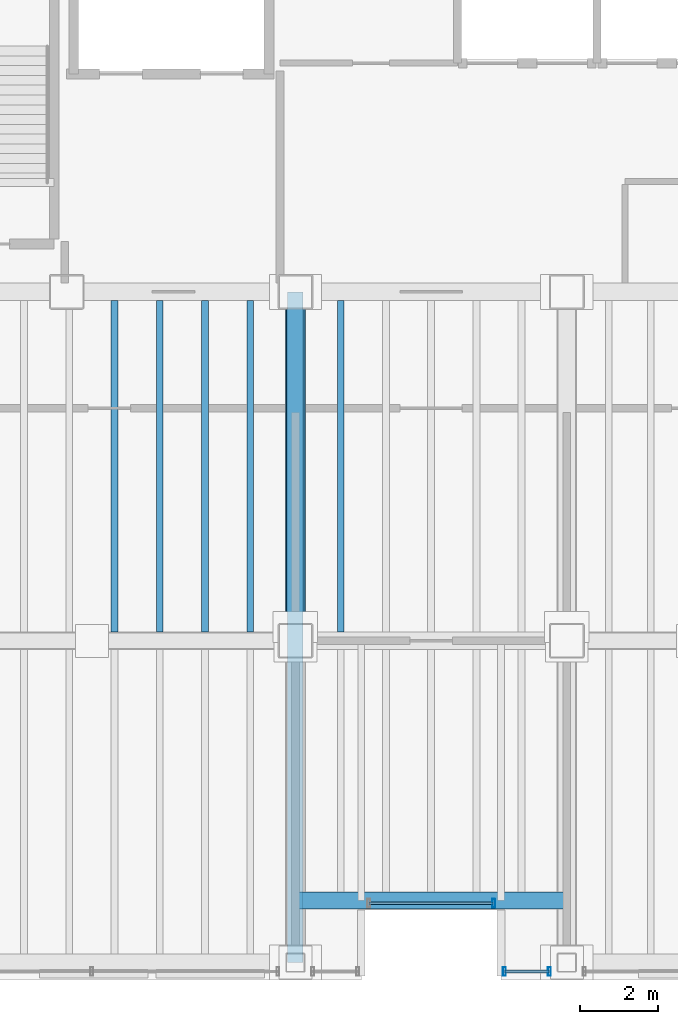
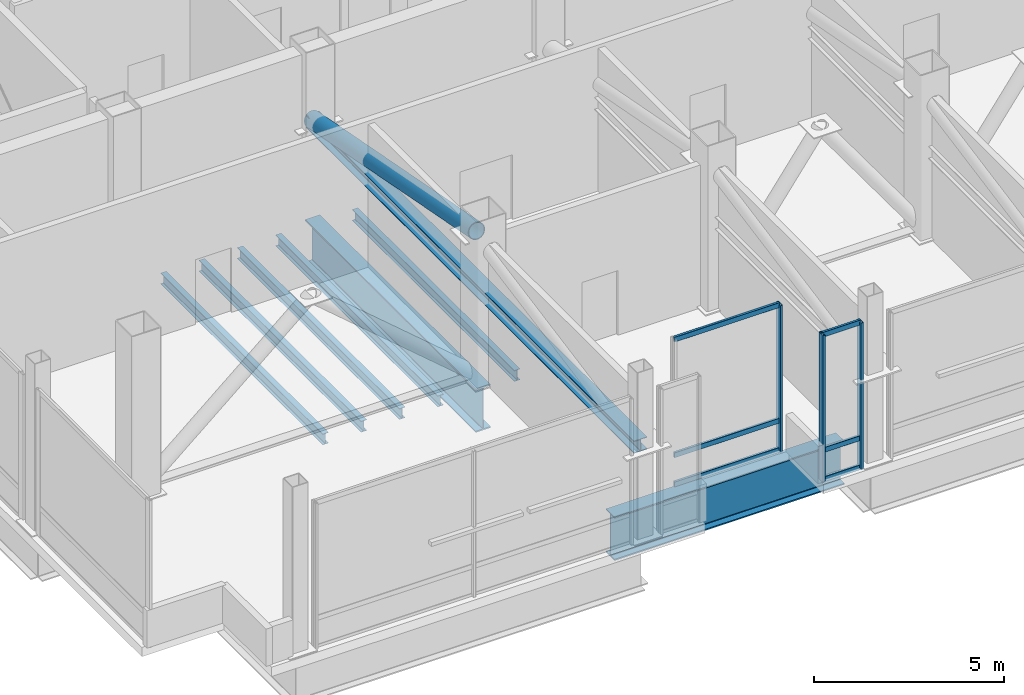
# One storey, part 4 of 18: 11 members, 7 beams, 2 elements without a shape of their own.
"""IFC4 building model written with IfcOpenShell, lengths in metres."""

from ifc_helpers import new_model, si_unit, direction, frame, origin, origin_2d, place, context, subcontext, project, spatial, hollow_rectangle, hollow_circle, i_section, extrude, material, material_profile, profile_set, type_object, element, aggregate, save


model = new_model("IFC4")

# Units and contexts
model_context = context("Model", 3, precision=1e-05, world=origin(), true_north=direction((0.0, 1.0)))
body_context = subcontext(model_context, "Body", "Model", "MODEL_VIEW")
ifc_project = project(units=[si_unit("LENGTHUNIT", "METRE"), si_unit("AREAUNIT", "SQUARE_METRE"), si_unit("VOLUMEUNIT", "CUBIC_METRE"), si_unit("PLANEANGLEUNIT", "RADIAN"), si_unit("MASSUNIT", "GRAM", prefix="KILO")], contexts=[model_context])

# Site, building, storey
site_placement = place(None, origin())
site = spatial("IfcSite", under=ifc_project, at=site_placement, CompositionType="ELEMENT")
building_placement = place(site_placement, origin())
building = spatial("IfcBuilding", under=site, at=building_placement, Name="Noeulbin Bourse Tower", CompositionType="ELEMENT")
storey_placement = place(building_placement, frame((0.0, 0.0, 200.699951171875)))
storey = spatial("IfcBuildingStorey", under=building, at=storey_placement, Name="L50", CompositionType="ELEMENT", Elevation=200.699951171875)

# Beams
ifc_material_1 = material(Name="Steel S355", Category="steel")
ifc_material_profile_1 = material_profile(ifc_material_1, i_section(OverallWidth=0.175048828125, OverallDepth=0.35009765625, WebThickness=0.007080078125, FlangeThickness=0.010986328125, FilletRadius=0.013916015625, at=origin_2d()), Name="H-350x175x7x11", Category="LoadBearing")
ifc_profile_set_1 = profile_set([ifc_material_profile_1], Name="Steel S355")
beam_type_1 = type_object("IfcBeamType", Name="BM-JST-350", PredefinedType="JOIST", material=ifc_profile_set_1)
for number, where, z_axis, x_axis, name in (
    (1, (19.333251953125, 20.22509765625, -0.474853515625), (0.0, 1.0, 0.0), (-1.0, 0.0, 0.0), "Tower Composite Joist L50-10"),
    (2, (20.5, 20.22509765625, -0.474853515625), (0.0, 1.0, 0.0), (-1.0, 0.0, 0.0), "Tower Composite Joist L50-12"),
    (3, (21.666748046875, 20.22509765625, -0.474853515625), (0.0, 1.0, 0.0), (-1.0, 0.0, 0.0), "Tower Composite Joist L50-14"),
    (4, (22.833251953125, 20.22509765625, -0.474853515625), (0.0, 1.0, 0.0), (-1.0, 0.0, 0.0), "Tower Composite Joist L50-16"),
    (5, (25.166748046875, 20.22509765625, -0.474853515625), (0.0, 1.0, 0.0), (-1.0, 0.0, 0.0), "Tower Composite Joist L50-18"),
):
    element("IfcBeam", number, at=place(storey_placement, frame(where, z_axis=z_axis, x_axis=x_axis)), inside=storey, type_object=beam_type_1, Name=name, PredefinedType="JOIST", context=body_context, shape_type="SweptSolid", body=[
        extrude(i_section(OverallWidth=0.175048828125, OverallDepth=0.35009765625, WebThickness=0.007080078125, FlangeThickness=0.010986328125, FilletRadius=0.013916015625, at=origin_2d()), origin(), (0.0, 0.0, 1.0), 8.5498046875),
    ])
ifc_material_2 = material(Name="Steel S460", Category="steel")
ifc_material_profile_2 = material_profile(ifc_material_2, i_section(OverallWidth=0.449951171875, OverallDepth=1.39990234375, WebThickness=0.02392578125, FlangeThickness=0.0400390625, FilletRadius=0.02392578125, at=origin_2d()), Name="PG-1400x450x24x40", Category="LoadBearing")
ifc_profile_set_2 = profile_set([ifc_material_profile_2], Name="Steel S460")
beam_type_2 = type_object("IfcBeamType", Name="BM-TRF-1400", PredefinedType="USERDEFINED", material=ifc_profile_set_2)
beam_1_placement = place(storey_placement, frame((24.0, 20.0, -1.0), z_axis=(0.0, 1.0, 0.0), x_axis=(-1.0, 0.0, 0.0)))
element("IfcBeam", 6, at=beam_1_placement, inside=storey, type_object=beam_type_2, Name="Tower Primary Girder NS L50-2.2", ObjectType="GIRDER", PredefinedType="USERDEFINED", context=body_context, shape_type="SweptSolid", body=[
    extrude(i_section(OverallWidth=0.449951171875, OverallDepth=1.39990234375, WebThickness=0.02392578125, FlangeThickness=0.0400390625, FilletRadius=0.02392578125, at=origin_2d()), origin(), (0.0, 0.0, 1.0), 9.0),
])
beam_2_placement = place(storey_placement, frame((24.0, 13.300048828125, -1.0), z_axis=(1.0, 0.0, 0.0), x_axis=(0.0, 1.0, 0.0)))
element("IfcBeam", 7, at=beam_2_placement, inside=storey, type_object=beam_type_2, Name="South Recess Spandrel L50-2B", ObjectType="GIRDER", PredefinedType="USERDEFINED", context=body_context, shape_type="SweptSolid", body=[
    extrude(i_section(OverallWidth=0.449951171875, OverallDepth=1.39990234375, WebThickness=0.02392578125, FlangeThickness=0.0400390625, FilletRadius=0.02392578125, at=origin_2d()), origin(), (0.0, 0.0, 1.0), 7.0),
])

# Curtain wall, member
ifc_material_3 = material(Name="Translucent Ceramic-Fritted Glass", Category="glass")
curtain_wall_type = type_object("IfcCurtainWallType", Name="CW-SYS-5", PredefinedType="NOTDEFINED", material=ifc_material_3)
curtain_wall_1_placement = place(storey_placement, origin())
curtain_wall_1 = element("IfcCurtainWall", 8, at=curtain_wall_1_placement, inside=storey, type_object=curtain_wall_type, Name="Unitised Curtain Wall CW-L50-SREC", PredefinedType="NOTDEFINED")
ifc_material_4 = material(Name="Anodised Aluminium 6063-T6", Category="aluminium")
ifc_material_profile_3 = material_profile(ifc_material_4, hollow_rectangle(XDim=0.074951171875, YDim=0.219970703125, WallThickness=0.0048828125, InnerFilletRadius=0.00244140625, OuterFilletRadius=0.0048828125, at=origin_2d()), Name="ALU-MULL-75x220x5", Category="LoadBearing")
ifc_profile_set_3 = profile_set([ifc_material_profile_3], Name="Anodised Aluminium 6063-T6")
member_type_1 = type_object("IfcMemberType", Name="CW-SYS-5-MUL", PredefinedType="MULLION", material=ifc_profile_set_3)
member_1_placement = place(storey_placement, frame((29.110107421875, 13.22998046875, -0.02001953125), z_axis=(0.0, 0.0, 1.0), x_axis=(1.0, 0.0, 0.0)))
member_1 = element("IfcMember", 9, at=member_1_placement, type_object=member_type_1, Name="Curtain Wall Mullion CW-L50-SREC-M01", PredefinedType="MULLION", context=body_context, shape_type="SweptSolid", body=[
    extrude(hollow_rectangle(XDim=0.074951171875, YDim=0.219970703125, WallThickness=0.0048828125, InnerFilletRadius=0.00244140625, OuterFilletRadius=0.0048828125, at=origin_2d()), origin(), (0.0, 0.0, 1.0), 4.719970703125),
])

# Curtain wall, members
curtain_wall_2_placement = place(storey_placement, origin())
curtain_wall_2 = element("IfcCurtainWall", 10, at=curtain_wall_2_placement, inside=storey, type_object=curtain_wall_type, Name="Unitised Curtain Wall CW-L50-S2-S1", PredefinedType="NOTDEFINED")
member_2_placement = place(storey_placement, frame((29.389892578125, 11.469970703125, -0.02001953125), z_axis=(0.0, 0.0, 1.0), x_axis=(1.0, 0.0, 0.0)))
member_2 = element("IfcMember", 11, at=member_2_placement, type_object=member_type_1, Name="Curtain Wall Mullion CW-L50-S2-S1-M00", PredefinedType="MULLION", context=body_context, shape_type="SweptSolid", body=[
    extrude(hollow_rectangle(XDim=0.074951171875, YDim=0.219970703125, WallThickness=0.0048828125, InnerFilletRadius=0.00244140625, OuterFilletRadius=0.0048828125, at=origin_2d()), origin(), (0.0, 0.0, 1.0), 4.719970703125),
])
member_3_placement = place(storey_placement, frame((30.550048828125, 11.469970703125, -0.02001953125), z_axis=(0.0, 0.0, 1.0), x_axis=(1.0, 0.0, 0.0)))
member_3 = element("IfcMember", 12, at=member_3_placement, type_object=member_type_1, Name="Curtain Wall Mullion CW-L50-S2-S1-M01", PredefinedType="MULLION", context=body_context, shape_type="SweptSolid", body=[
    extrude(hollow_rectangle(XDim=0.074951171875, YDim=0.219970703125, WallThickness=0.0048828125, InnerFilletRadius=0.00244140625, OuterFilletRadius=0.0048828125, at=origin_2d()), origin(), (0.0, 0.0, 1.0), 4.719970703125),
])

# Member
ifc_material_profile_4 = material_profile(ifc_material_4, hollow_rectangle(XDim=0.074951171875, YDim=0.159912109375, WallThickness=0.0048828125, InnerFilletRadius=0.00244140625, OuterFilletRadius=0.0048828125, at=origin_2d()), Name="ALU-TRAN-75x160x5", Category="LoadBearing")
ifc_profile_set_4 = profile_set([ifc_material_profile_4], Name="Anodised Aluminium 6063-T6")
member_type_2 = type_object("IfcMemberType", Name="CW-SYS-5-TRN", PredefinedType="USERDEFINED", material=ifc_profile_set_4)
member_4_placement = place(storey_placement, frame((25.89990234375, 13.22998046875, 0.010009765625), z_axis=(1.0, 0.0, 0.0), x_axis=(0.0, 1.0, 0.0)))
member_4 = element("IfcMember", 13, at=member_4_placement, type_object=member_type_2, Name="Curtain Wall Transom CW-L50-SREC-T00", ObjectType="TRANSOM", PredefinedType="USERDEFINED", context=body_context, shape_type="SweptSolid", body=[
    extrude(hollow_rectangle(XDim=0.074951171875, YDim=0.159912109375, WallThickness=0.0048828125, InnerFilletRadius=0.00244140625, OuterFilletRadius=0.0048828125, at=origin_2d()), origin(), (0.0, 0.0, 1.0), 3.2001953125),
])

member_5_placement = place(storey_placement, frame((25.89990234375, 13.22998046875, 0.949951171875), z_axis=(1.0, 0.0, 0.0), x_axis=(0.0, 1.0, 0.0)))
member_5 = element("IfcMember", 14, at=member_5_placement, type_object=member_type_2, Name="Curtain Wall Transom CW-L50-SREC-T01", ObjectType="TRANSOM", PredefinedType="USERDEFINED", context=body_context, shape_type="SweptSolid", body=[
    extrude(hollow_rectangle(XDim=0.074951171875, YDim=0.159912109375, WallThickness=0.0048828125, InnerFilletRadius=0.00244140625, OuterFilletRadius=0.0048828125, at=origin_2d()), origin(), (0.0, 0.0, 1.0), 3.2001953125),
])

member_6_placement = place(storey_placement, frame((25.89990234375, 13.22998046875, 4.670166015625), z_axis=(1.0, 0.0, 0.0), x_axis=(0.0, 1.0, 0.0)))
member_6 = element("IfcMember", 15, at=member_6_placement, type_object=member_type_2, Name="Curtain Wall Transom CW-L50-SREC-T02", ObjectType="TRANSOM", PredefinedType="USERDEFINED", context=body_context, shape_type="SweptSolid", body=[
    extrude(hollow_rectangle(XDim=0.074951171875, YDim=0.159912109375, WallThickness=0.0048828125, InnerFilletRadius=0.00244140625, OuterFilletRadius=0.0048828125, at=origin_2d()), origin(), (0.0, 0.0, 1.0), 3.2001953125),
])

aggregate(curtain_wall_1, [member_1, member_4, member_5, member_6])

member_7_placement = place(storey_placement, frame((29.39990234375, 11.469970703125, 0.010009765625), z_axis=(1.0, 0.0, 0.0), x_axis=(0.0, 1.0, 0.0)))
member_7 = element("IfcMember", 16, at=member_7_placement, type_object=member_type_2, Name="Curtain Wall Transom CW-L50-S2-S1-T00", ObjectType="TRANSOM", PredefinedType="USERDEFINED", context=body_context, shape_type="SweptSolid", body=[
    extrude(hollow_rectangle(XDim=0.074951171875, YDim=0.159912109375, WallThickness=0.0048828125, InnerFilletRadius=0.00244140625, OuterFilletRadius=0.0048828125, at=origin_2d()), origin(), (0.0, 0.0, 1.0), 1.14013671875),
])

member_8_placement = place(storey_placement, frame((29.39990234375, 11.469970703125, 0.949951171875), z_axis=(1.0, 0.0, 0.0), x_axis=(0.0, 1.0, 0.0)))
member_8 = element("IfcMember", 17, at=member_8_placement, type_object=member_type_2, Name="Curtain Wall Transom CW-L50-S2-S1-T01", ObjectType="TRANSOM", PredefinedType="USERDEFINED", context=body_context, shape_type="SweptSolid", body=[
    extrude(hollow_rectangle(XDim=0.074951171875, YDim=0.159912109375, WallThickness=0.0048828125, InnerFilletRadius=0.00244140625, OuterFilletRadius=0.0048828125, at=origin_2d()), origin(), (0.0, 0.0, 1.0), 1.14013671875),
])

member_9_placement = place(storey_placement, frame((29.39990234375, 11.469970703125, 4.670166015625), z_axis=(1.0, 0.0, 0.0), x_axis=(0.0, 1.0, 0.0)))
member_9 = element("IfcMember", 18, at=member_9_placement, type_object=member_type_2, Name="Curtain Wall Transom CW-L50-S2-S1-T02", ObjectType="TRANSOM", PredefinedType="USERDEFINED", context=body_context, shape_type="SweptSolid", body=[
    extrude(hollow_rectangle(XDim=0.074951171875, YDim=0.159912109375, WallThickness=0.0048828125, InnerFilletRadius=0.00244140625, OuterFilletRadius=0.0048828125, at=origin_2d()), origin(), (0.0, 0.0, 1.0), 1.14013671875),
])

aggregate(curtain_wall_2, [member_2, member_3, member_7, member_8, member_9])

# Members
ifc_material_profile_5 = material_profile(ifc_material_2, i_section(OverallWidth=0.39990234375, OverallDepth=0.39990234375, WebThickness=0.012939453125, FlangeThickness=0.02099609375, FilletRadius=0.02197265625, at=origin_2d()), Name="H-400x400x13x21", Category="LoadBearing")
ifc_profile_set_5 = profile_set([ifc_material_profile_5], Name="Steel S460")
member_type_3 = type_object("IfcMemberType", Name="MEM-CHD-400", PredefinedType="CHORD", material=ifc_profile_set_5)
member_10_placement = place(storey_placement, frame((24.0, 29.0, 2.85009765625), z_axis=(0.0, -1.0, 0.0), x_axis=(1.0, 0.0, 0.0)))
element("IfcMember", 19, at=member_10_placement, inside=storey, type_object=member_type_3, Name="Outrigger Bottom Chord CH-L50-1", PredefinedType="CHORD", context=body_context, shape_type="SweptSolid", body=[
    extrude(i_section(OverallWidth=0.39990234375, OverallDepth=0.39990234375, WebThickness=0.012939453125, FlangeThickness=0.02099609375, FilletRadius=0.02197265625, at=origin_2d()), origin(), (0.0, 0.0, 1.0), 17.300048828125),
])
ifc_material_profile_6 = material_profile(ifc_material_2, hollow_circle(Radius=0.25390625, WallThickness=0.02197265625, at=origin_2d()), Name="CHS-508.0x22.0", Category="LoadBearing")
ifc_profile_set_6 = profile_set([ifc_material_profile_6], Name="Steel S460")
member_type_4 = type_object("IfcMemberType", Name="MEM-OUT-508", PredefinedType="BRACE", material=ifc_profile_set_6)
member_11_placement = place(storey_placement, frame((24.0, 29.0, 2.85009765625), z_axis=(0.0, -0.982290485763, 0.187364355145), x_axis=(1.0, 0.0, 0.0)))
element("IfcMember", 20, at=member_11_placement, inside=storey, type_object=member_type_4, Name="Outrigger Truss Diagonal OT-L50-1A", PredefinedType="BRACE", context=body_context, shape_type="SweptSolid", body=[
    extrude(hollow_circle(Radius=0.25390625, WallThickness=0.02197265625, at=origin_2d()), origin(), (0.0, 0.0, 1.0), 8.805908203125),
])

save(model, "model.ifc")
